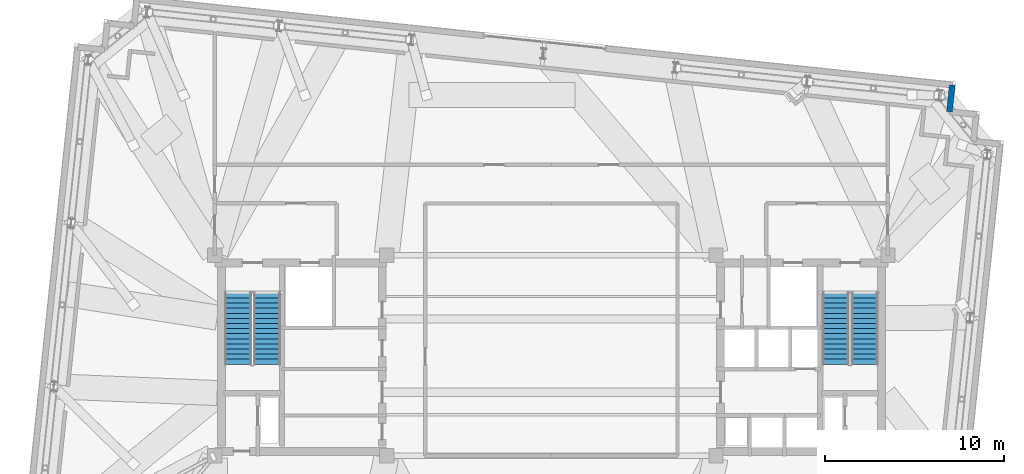
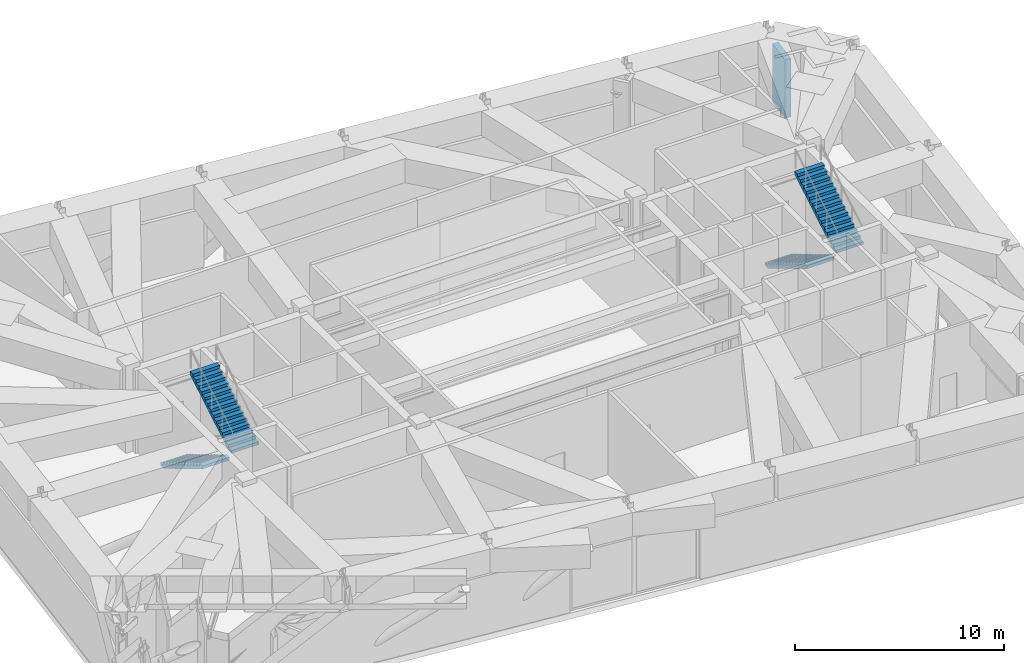
# One storey, part 19 of 21: 4 stair flights, 1 wall, 2 elements without a shape of their own.
"""IFC4 building model written with IfcOpenShell, lengths in metres."""

from ifc_helpers import new_model, si_unit, direction, frame, frame_2d, origin, place, context, subcontext, project, spatial, polyline, rectangle, outline, extrude, material, layer, layer_set, type_object, element, aggregate, save


model = new_model("IFC4")

# Units and contexts
model_context = context("Model", 3, precision=1e-05, world=origin(), true_north=direction((0.0, 1.0)))
body_context = subcontext(model_context, "Body", "Model", "MODEL_VIEW")
ifc_project = project(units=[si_unit("LENGTHUNIT", "METRE"), si_unit("AREAUNIT", "SQUARE_METRE"), si_unit("VOLUMEUNIT", "CUBIC_METRE"), si_unit("PLANEANGLEUNIT", "RADIAN"), si_unit("MASSUNIT", "GRAM", prefix="KILO")], contexts=[model_context])

# Site, building, storey
site_placement = place(None, origin())
site = spatial("IfcSite", under=ifc_project, at=site_placement, CompositionType="ELEMENT")
building_placement = place(site_placement, origin())
building = spatial("IfcBuilding", under=site, at=building_placement, Name="Qobustan Lattice House", CompositionType="ELEMENT")
storey_placement = place(building_placement, frame((0.0, 0.0, 223.199951171875)))
storey = spatial("IfcBuildingStorey", under=building, at=storey_placement, Name="L63", CompositionType="ELEMENT", Elevation=223.199951171875)

# Wall
ifc_material_1 = material(Name="Precast concrete C40/50", Category="concrete")
ifc_layer = layer(ifc_material_1, 0.320068359375)
ifc_layer_set = layer_set([ifc_layer], Name="Precast concrete C40/50")
wall_type = type_object("IfcWallType", Name="WAL-EXT-STONE-320", PredefinedType="SOLIDWALL", material=ifc_layer_set)
wall_placement = place(storey_placement, frame((22.393310546875, 15.111083984375, 0.0), z_axis=(0.0, 0.0, 1.0), x_axis=(-0.104481464157, -0.994526834051, 0.0)))
element("IfcWall", 1, at=wall_placement, inside=storey, type_object=wall_type, Name="L63 exterior limestone-clad wall 11", PredefinedType="SOLIDWALL", context=body_context, shape_type="SweptSolid", body=[
    extrude(rectangle(XDim=1.500244140625, YDim=0.320068359375, at=frame_2d((0.75, 0.0))), origin(), (0.0, 0.0, 1.0), 3.405029296875),
])

# Stair, stair flights
ifc_material_2 = material(Name="Concrete C40/50", Category="concrete")
stair_type = type_object("IfcStairType", Name="STR-CORE-DOGLEG", PredefinedType="HALF_TURN_STAIR", material=ifc_material_2)
stair_1_placement = place(storey_placement, origin())
stair_1 = element("IfcStair", 2, at=stair_1_placement, inside=storey, type_object=stair_type, Name="L63 West protected exit stair ST-W1", PredefinedType="HALF_TURN_STAIR")
ifc_material_3 = material(Name="Concrete C40/50", Category="concrete")
stair_flight_type = type_object("IfcStairFlightType", Name="SFL-RC-1500", PredefinedType="STRAIGHT", material=ifc_material_3)
stair_flight_1_placement = place(storey_placement, frame((-17.5, 3.5, 0.0), z_axis=(0.0, 0.0, 1.0), x_axis=(0.0, -1.0, 0.0)))
stair_flight_1 = element("IfcStairFlight", 3, at=stair_flight_1_placement, type_object=stair_flight_type, Name="ST-W1 flight 1", NumberOfRisers=15, NumberOfTreads=14, PredefinedType="STRAIGHT", RiserHeight=0.17, TreadLength=0.285, context=body_context, shape_type="SweptSolid", body=[
    extrude(outline(polyline([(0.0, 0.0), (0.0, 0.169921875), (0.284912109375, 0.169921875), (0.284912109375, 0.340087890625), (0.570068359375, 0.340087890625), (0.570068359375, 0.510009765625), (0.85498046875, 0.510009765625), (0.85498046875, 0.679931640625), (1.139892578125, 0.679931640625), (1.139892578125, 0.85009765625), (1.425048828125, 0.85009765625), (1.425048828125, 1.02001953125), (1.7099609375, 1.02001953125), (1.7099609375, 1.18994140625), (1.9951171875, 1.18994140625), (1.9951171875, 1.360107421875), (2.280029296875, 1.360107421875), (2.280029296875, 1.530029296875), (2.56494140625, 1.530029296875), (2.56494140625, 1.699951171875), (2.85009765625, 1.699951171875), (2.85009765625, 1.8701171875), (3.135009765625, 1.8701171875), (3.135009765625, 2.0400390625), (3.419921875, 2.0400390625), (3.419921875, 2.2099609375), (3.705078125, 2.2099609375), (3.705078125, 2.3798828125), (3.989990234375, 2.3798828125), (3.989990234375, 2.550048828125), (3.989990234375, 2.20556640625), (0.292724609375, 0.0), (0.0, 0.0)])), frame((0.0, 0.75, 0.0), z_axis=(0.0, -1.0, 0.0), x_axis=(1.0, 0.0, 0.0)), (0.0, 0.0, 1.0), 1.5),
])
stair_flight_2_placement = place(storey_placement, frame((-15.8798828125, -0.489990234375, 2.550048828125), z_axis=(0.0, 0.0, 1.0), x_axis=(0.0, 1.0, 0.0)))
stair_flight_2 = element("IfcStairFlight", 4, at=stair_flight_2_placement, type_object=stair_flight_type, Name="ST-W1 flight 2", NumberOfRisers=15, NumberOfTreads=14, PredefinedType="STRAIGHT", RiserHeight=0.17, TreadLength=0.285, context=body_context, shape_type="SweptSolid", body=[
    extrude(outline(polyline([(0.0, 0.0), (0.0, 0.169921875), (0.284912109375, 0.169921875), (0.284912109375, 0.340087890625), (0.570068359375, 0.340087890625), (0.570068359375, 0.510009765625), (0.85498046875, 0.510009765625), (0.85498046875, 0.679931640625), (1.139892578125, 0.679931640625), (1.139892578125, 0.85009765625), (1.425048828125, 0.85009765625), (1.425048828125, 1.02001953125), (1.7099609375, 1.02001953125), (1.7099609375, 1.18994140625), (1.9951171875, 1.18994140625), (1.9951171875, 1.360107421875), (2.280029296875, 1.360107421875), (2.280029296875, 1.530029296875), (2.56494140625, 1.530029296875), (2.56494140625, 1.699951171875), (2.85009765625, 1.699951171875), (2.85009765625, 1.8701171875), (3.135009765625, 1.8701171875), (3.135009765625, 2.0400390625), (3.419921875, 2.0400390625), (3.419921875, 2.2099609375), (3.705078125, 2.2099609375), (3.705078125, 2.3798828125), (3.989990234375, 2.3798828125), (3.989990234375, 2.550048828125), (3.989990234375, 2.20556640625), (0.292724609375, 0.0), (0.0, 0.0)])), frame((0.0, 0.75, 0.0), z_axis=(0.0, -1.0, 0.0), x_axis=(1.0, 0.0, 0.0)), (0.0, 0.0, 1.0), 1.5),
])
aggregate(stair_1, [stair_flight_1, stair_flight_2])

stair_2_placement = place(storey_placement, origin())
stair_2 = element("IfcStair", 5, at=stair_2_placement, inside=storey, type_object=stair_type, Name="L63 East protected exit stair ST-E1", PredefinedType="HALF_TURN_STAIR")
stair_flight_3_placement = place(storey_placement, frame((15.8798828125, 3.5, 0.0), z_axis=(0.0, 0.0, 1.0), x_axis=(0.0, -1.0, 0.0)))
stair_flight_3 = element("IfcStairFlight", 6, at=stair_flight_3_placement, type_object=stair_flight_type, Name="ST-E1 flight 1", NumberOfRisers=15, NumberOfTreads=14, PredefinedType="STRAIGHT", RiserHeight=0.17, TreadLength=0.285, context=body_context, shape_type="SweptSolid", body=[
    extrude(outline(polyline([(0.0, 0.0), (0.0, 0.169921875), (0.284912109375, 0.169921875), (0.284912109375, 0.340087890625), (0.570068359375, 0.340087890625), (0.570068359375, 0.510009765625), (0.85498046875, 0.510009765625), (0.85498046875, 0.679931640625), (1.139892578125, 0.679931640625), (1.139892578125, 0.85009765625), (1.425048828125, 0.85009765625), (1.425048828125, 1.02001953125), (1.7099609375, 1.02001953125), (1.7099609375, 1.18994140625), (1.9951171875, 1.18994140625), (1.9951171875, 1.360107421875), (2.280029296875, 1.360107421875), (2.280029296875, 1.530029296875), (2.56494140625, 1.530029296875), (2.56494140625, 1.699951171875), (2.85009765625, 1.699951171875), (2.85009765625, 1.8701171875), (3.135009765625, 1.8701171875), (3.135009765625, 2.0400390625), (3.419921875, 2.0400390625), (3.419921875, 2.2099609375), (3.705078125, 2.2099609375), (3.705078125, 2.3798828125), (3.989990234375, 2.3798828125), (3.989990234375, 2.550048828125), (3.989990234375, 2.20556640625), (0.292724609375, 0.0), (0.0, 0.0)])), frame((0.0, 0.75, 0.0), z_axis=(0.0, -1.0, 0.0), x_axis=(1.0, 0.0, 0.0)), (0.0, 0.0, 1.0), 1.5),
])
stair_flight_4_placement = place(storey_placement, frame((17.5, -0.489990234375, 2.550048828125), z_axis=(0.0, 0.0, 1.0), x_axis=(0.0, 1.0, 0.0)))
stair_flight_4 = element("IfcStairFlight", 7, at=stair_flight_4_placement, type_object=stair_flight_type, Name="ST-E1 flight 2", NumberOfRisers=15, NumberOfTreads=14, PredefinedType="STRAIGHT", RiserHeight=0.17, TreadLength=0.285, context=body_context, shape_type="SweptSolid", body=[
    extrude(outline(polyline([(0.0, 0.0), (0.0, 0.169921875), (0.284912109375, 0.169921875), (0.284912109375, 0.340087890625), (0.570068359375, 0.340087890625), (0.570068359375, 0.510009765625), (0.85498046875, 0.510009765625), (0.85498046875, 0.679931640625), (1.139892578125, 0.679931640625), (1.139892578125, 0.85009765625), (1.425048828125, 0.85009765625), (1.425048828125, 1.02001953125), (1.7099609375, 1.02001953125), (1.7099609375, 1.18994140625), (1.9951171875, 1.18994140625), (1.9951171875, 1.360107421875), (2.280029296875, 1.360107421875), (2.280029296875, 1.530029296875), (2.56494140625, 1.530029296875), (2.56494140625, 1.699951171875), (2.85009765625, 1.699951171875), (2.85009765625, 1.8701171875), (3.135009765625, 1.8701171875), (3.135009765625, 2.0400390625), (3.419921875, 2.0400390625), (3.419921875, 2.2099609375), (3.705078125, 2.2099609375), (3.705078125, 2.3798828125), (3.989990234375, 2.3798828125), (3.989990234375, 2.550048828125), (3.989990234375, 2.20556640625), (0.292724609375, 0.0), (0.0, 0.0)])), frame((0.0, 0.75, 0.0), z_axis=(0.0, -1.0, 0.0), x_axis=(1.0, 0.0, 0.0)), (0.0, 0.0, 1.0), 1.5),
])
aggregate(stair_2, [stair_flight_3, stair_flight_4])

save(model, "model.ifc")
